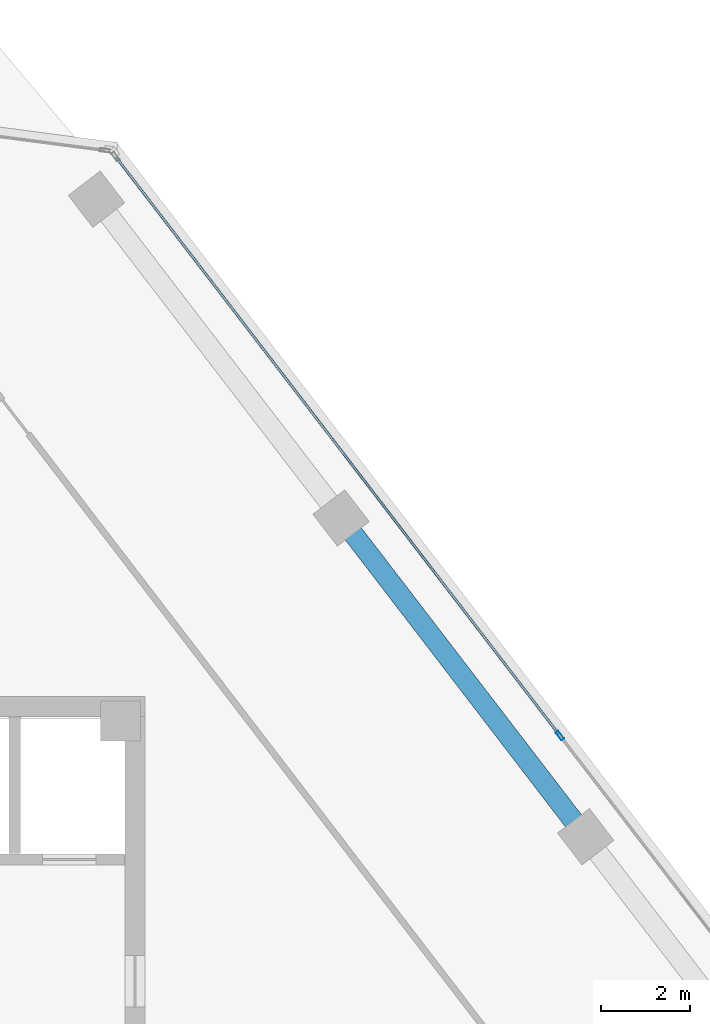
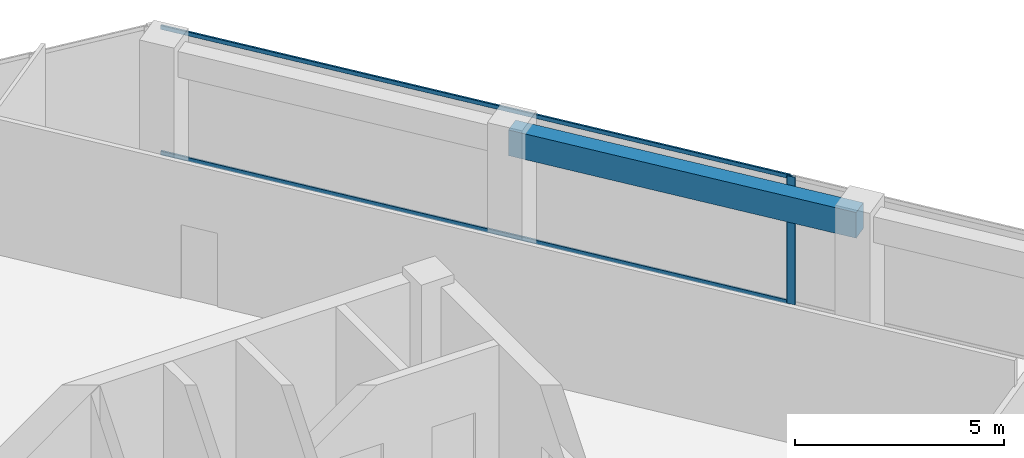
# One storey, part 11 of 17: 3 members, 1 beam, 1 element without a shape of its own.
"""IFC4 building model written with IfcOpenShell, lengths in metres."""

from ifc_helpers import new_model, si_unit, direction, frame, origin, origin_2d, place, context, subcontext, project, spatial, rectangle, hollow_rectangle, extrude, source, transform, mapped, material, material_profile, profile_set, type_object, element, aggregate, save


model = new_model("IFC4")

# Units and contexts
model_context = context("Model", 3, precision=1e-05, world=origin(), true_north=direction((0.0, 1.0)))
body_context = subcontext(model_context, "Body", "Model", "MODEL_VIEW")
ifc_project = project(units=[si_unit("LENGTHUNIT", "METRE"), si_unit("AREAUNIT", "SQUARE_METRE"), si_unit("VOLUMEUNIT", "CUBIC_METRE"), si_unit("PLANEANGLEUNIT", "RADIAN"), si_unit("MASSUNIT", "GRAM", prefix="KILO")], contexts=[model_context])

# Site, building, storey
site_placement = place(None, origin())
site = spatial("IfcSite", under=ifc_project, at=site_placement, CompositionType="ELEMENT")
building_placement = place(site_placement, origin())
building = spatial("IfcBuilding", under=site, at=building_placement, Name="Torre Montelarca", CompositionType="ELEMENT")
storey_placement = place(building_placement, frame((0.0, 0.0, 279.39990234375)))
storey = spatial("IfcBuildingStorey", under=building, at=storey_placement, Name="L63", CompositionType="ELEMENT", Elevation=279.39990234375)

# Beam
ifc_material_1 = material(Name="Concrete C55/67", Category="concrete")
ifc_material_profile_1 = material_profile(ifc_material_1, rectangle(XDim=0.449951171875, YDim=0.75, at=origin_2d()), Name="RCB450X750", Category="concrete")
ifc_profile_set_1 = profile_set([ifc_material_profile_1], Name="Concrete C55/67")
beam_type = type_object("IfcBeamType", Name="BM-SP-RC750-EXT", PredefinedType="SPANDREL", material=ifc_profile_set_1)
shared_shape_1 = source(origin(), body_context, "Body", "SweptSolid", [
    extrude(rectangle(XDim=0.449951171875, YDim=0.75, at=origin_2d()), origin(), (0.0, 0.0, 1.0), 9.0),
])
beam_placement = place(storey_placement, frame((31.388671875, 43.99951171875, 3.585205078125), z_axis=(0.608757244327, -0.793356551293, 0.0), x_axis=(0.793356551293, 0.608757244327, 0.0)))
element("IfcBeam", 1, at=beam_placement, inside=storey, type_object=beam_type, Name="L63 Grid Girder X 18.0-27.0 at Y=47.1", PredefinedType="SPANDREL", context=body_context, shape_type="MappedRepresentation", body=[
    mapped(shared_shape_1, transform((0.0, 0.0, 0.0), scale=1.0)),
])

# Curtain wall, members
ifc_material_2 = material(Name="Insulated low-E laminated glass", Category="glass")
curtain_wall_type = type_object("IfcCurtainWallType", Name="CW-SYS-Z3", PredefinedType="USERDEFINED", material=ifc_material_2)
curtain_wall_placement = place(storey_placement, origin())
curtain_wall = element("IfcCurtainWall", 2, at=curtain_wall_placement, inside=storey, type_object=curtain_wall_type, Name="L63 Curtain Wall Run CW-T3-L63-E08-B1", ObjectType="UNITISED GLAZING", PredefinedType="USERDEFINED")
ifc_material_3 = material(Name="Anodised aluminium AA 6063-T6", Category="aluminium")
ifc_material_profile_2 = material_profile(ifc_material_3, hollow_rectangle(XDim=0.074951171875, YDim=0.219970703125, WallThickness=0.0048828125, InnerFilletRadius=0.0048828125, OuterFilletRadius=0.010009765625, at=origin_2d()), Name="ALU75X220X5", Category="aluminium")
ifc_profile_set_2 = profile_set([ifc_material_profile_2], Name="Anodised aluminium AA 6063-T6")
member_type_1 = type_object("IfcMemberType", Name="CWM-ALU220", PredefinedType="MULLION", material=ifc_profile_set_2)
shared_shape_2 = source(origin(), body_context, "Body", "SweptSolid", [
    extrude(hollow_rectangle(XDim=0.074951171875, YDim=0.219970703125, WallThickness=0.0048828125, InnerFilletRadius=0.0048828125, OuterFilletRadius=0.010009765625, at=origin_2d()), origin(), (0.0, 0.0, 1.0), 3.72021484375),
])
member_1_placement = place(storey_placement, frame((36.28857421875, 39.125, 0.0), z_axis=(0.0, 0.0, 1.0), x_axis=(-0.793353678896, -0.60876098773, 0.0)))
member_1 = element("IfcMember", 3, at=member_1_placement, type_object=member_type_1, Name="CW mullion 2", PredefinedType="MULLION", context=body_context, shape_type="MappedRepresentation", body=[
    mapped(shared_shape_2, transform((0.0, 0.0, 0.0), scale=1.0)),
])
ifc_material_profile_3 = material_profile(ifc_material_3, hollow_rectangle(XDim=0.054931640625, YDim=0.1201171875, WallThickness=0.00341796875, InnerFilletRadius=0.00341796875, OuterFilletRadius=0.007080078125, at=origin_2d()), Name="ALU55X120X3.5", Category="aluminium")
ifc_profile_set_3 = profile_set([ifc_material_profile_3], Name="Anodised aluminium AA 6063-T6")
member_type_2 = type_object("IfcMemberType", Name="CWT-ALU120", PredefinedType="USERDEFINED", material=ifc_profile_set_3)
shared_shape_3 = source(origin(), body_context, "Body", "SweptSolid", [
    extrude(hollow_rectangle(XDim=0.054931640625, YDim=0.1201171875, WallThickness=0.00341796875, InnerFilletRadius=0.00341796875, OuterFilletRadius=0.007080078125, at=origin_2d()), origin(), (0.0, 0.0, 1.0), 16.271728515625),
])
member_2_placement = place(storey_placement, frame((36.265625, 39.15478515625, 0.027587890625), z_axis=(-0.608759711988, 0.793354657804, 0.0), x_axis=(-0.793354657804, -0.608759711988, 0.0)))
member_2 = element("IfcMember", 4, at=member_2_placement, type_object=member_type_2, Name="CW transom 2.1", ObjectType="TRANSOM", PredefinedType="USERDEFINED", context=body_context, shape_type="MappedRepresentation", body=[
    mapped(shared_shape_3, transform((0.0, 0.0, 0.0), scale=1.0)),
])
member_3_placement = place(storey_placement, frame((36.265625, 39.15478515625, 3.692626953125), z_axis=(-0.608759711988, 0.793354657804, 0.0), x_axis=(-0.793354657804, -0.608759711988, 0.0)))
member_3 = element("IfcMember", 5, at=member_3_placement, type_object=member_type_2, Name="CW transom 2.2", ObjectType="TRANSOM", PredefinedType="USERDEFINED", context=body_context, shape_type="MappedRepresentation", body=[
    mapped(shared_shape_3, transform((0.0, 0.0, 0.0), scale=1.0)),
])
aggregate(curtain_wall, [member_1, member_2, member_3])

save(model, "model.ifc")
